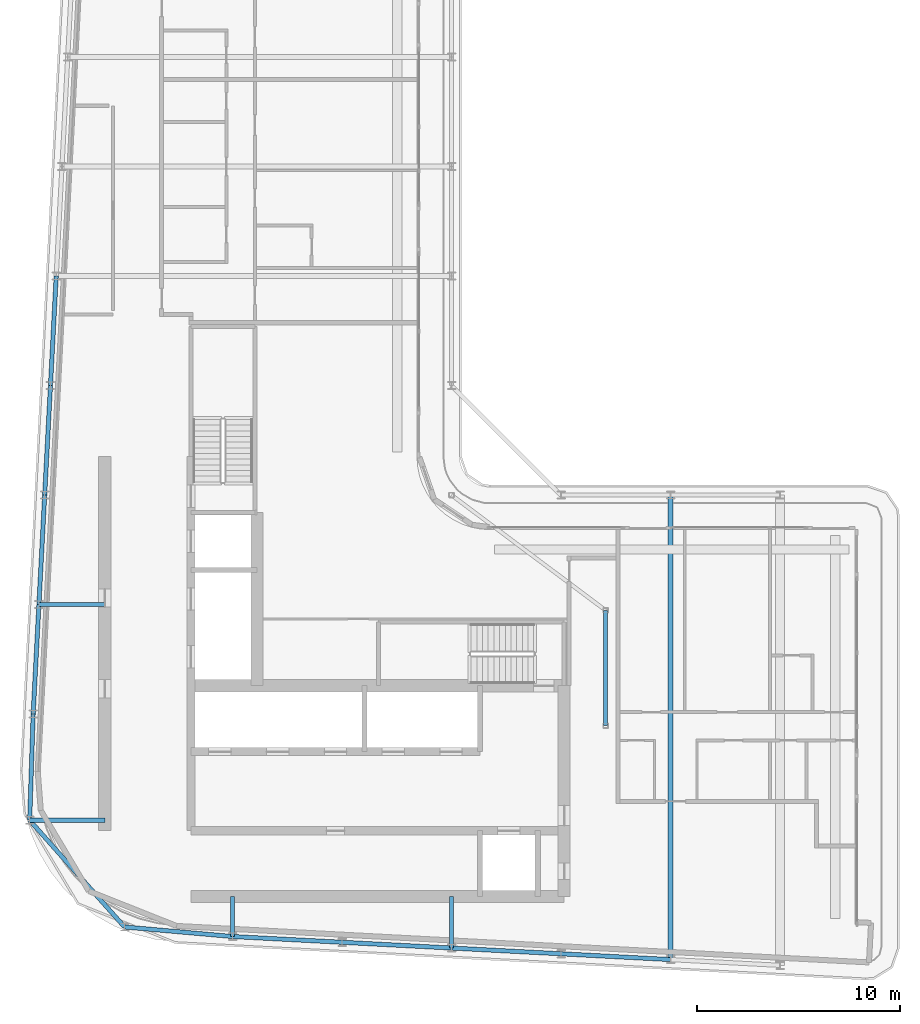
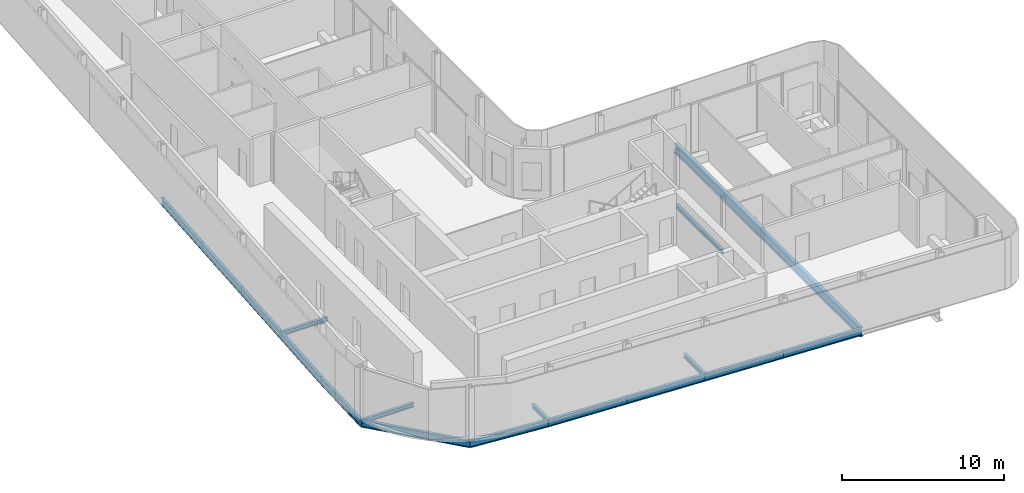
# One storey, part 5 of 21: 17 beams.
"""IFC4 building model written with IfcOpenShell, lengths in metres."""

from ifc_helpers import new_model, si_unit, direction, frame, origin, origin_2d, place, context, subcontext, project, spatial, i_section, extrude, material, material_profile, profile_set, type_object, element, save


model = new_model("IFC4")

# Units and contexts
model_context = context("Model", 3, precision=1e-05, world=origin(), true_north=direction((0.0, 1.0)))
body_context = subcontext(model_context, "Body", "Model", "MODEL_VIEW")
ifc_project = project(units=[si_unit("LENGTHUNIT", "METRE"), si_unit("AREAUNIT", "SQUARE_METRE"), si_unit("VOLUMEUNIT", "CUBIC_METRE"), si_unit("PLANEANGLEUNIT", "RADIAN"), si_unit("MASSUNIT", "GRAM", prefix="KILO")], contexts=[model_context])

# Site, building, storey
site_placement = place(None, origin())
site = spatial("IfcSite", under=ifc_project, at=site_placement, CompositionType="ELEMENT")
building_placement = place(site_placement, origin())
building = spatial("IfcBuilding", under=site, at=building_placement, Name="Kheshtan School and Residences Tower", CompositionType="ELEMENT")
storey_placement = place(building_placement, frame((0.0, 0.0, 302.0)))
storey = spatial("IfcBuildingStorey", under=building, at=storey_placement, Name="L71", CompositionType="ELEMENT", Elevation=302.0)

# Beams
ifc_material = material(Name="Steel ASTM A992 Grade 50", Category="steel")
ifc_material_profile_1 = material_profile(ifc_material, i_section(OverallWidth=0.202880859375, OverallDepth=0.302978515625, WebThickness=0.007568359375, FlangeThickness=0.01318359375, FilletRadius=0.009033203125, at=origin_2d()), Name="W310x60")
ifc_profile_set_1 = profile_set([ifc_material_profile_1], Name="Steel ASTM A992 Grade 50")
beam_type_1 = type_object("IfcBeamType", Name="Beam FB1 W310x60 ASTM A992 Grade 50", PredefinedType="BEAM", material=ifc_profile_set_1)
beam_1_placement = place(storey_placement, frame((47.60009765625, 23.263916015625, -0.301513671875), z_axis=(0.0, 1.0, 0.0), x_axis=(-1.0, 0.0, 0.0)))
element("IfcBeam", 1, at=beam_1_placement, inside=storey, type_object=beam_type_1, Name="Floor beam C020", PredefinedType="BEAM", context=body_context, shape_type="SweptSolid", body=[
    extrude(i_section(OverallWidth=0.202880859375, OverallDepth=0.302978515625, WebThickness=0.007568359375, FlangeThickness=0.01318359375, FilletRadius=0.009033203125, at=origin_2d()), origin(), (0.0, 0.0, 1.0), 2.5361328125),
])
beam_2_placement = place(storey_placement, frame((36.800048828125, 23.83203125, -0.301513671875), z_axis=(0.0, 1.0, 0.0), x_axis=(-1.0, 0.0, 0.0)))
element("IfcBeam", 2, at=beam_2_placement, inside=storey, type_object=beam_type_1, Name="Floor beam C022", PredefinedType="BEAM", context=body_context, shape_type="SweptSolid", body=[
    extrude(i_section(OverallWidth=0.202880859375, OverallDepth=0.302978515625, WebThickness=0.007568359375, FlangeThickness=0.01318359375, FilletRadius=0.009033203125, at=origin_2d()), origin(), (0.0, 0.0, 1.0), 1.968017578125),
])
beam_3_placement = place(storey_placement, frame((26.797119140625, 29.56591796875, -0.301513671875), z_axis=(1.0, 0.0, 0.0), x_axis=(0.0, 1.0, 0.0)))
element("IfcBeam", 3, at=beam_3_placement, inside=storey, type_object=beam_type_1, Name="Floor beam C044", PredefinedType="BEAM", context=body_context, shape_type="SweptSolid", body=[
    extrude(i_section(OverallWidth=0.202880859375, OverallDepth=0.302978515625, WebThickness=0.007568359375, FlangeThickness=0.01318359375, FilletRadius=0.009033203125, at=origin_2d()), origin(), (0.0, 0.0, 1.0), 3.702880859375),
])
beam_4_placement = place(storey_placement, frame((27.2529296875, 40.199951171875, -0.301513671875), z_axis=(1.0, 0.0, 0.0), x_axis=(0.0, 1.0, 0.0)))
element("IfcBeam", 4, at=beam_4_placement, inside=storey, type_object=beam_type_1, Name="Floor beam C056", PredefinedType="BEAM", context=body_context, shape_type="SweptSolid", body=[
    extrude(i_section(OverallWidth=0.202880859375, OverallDepth=0.302978515625, WebThickness=0.007568359375, FlangeThickness=0.01318359375, FilletRadius=0.009033203125, at=origin_2d()), origin(), (0.0, 0.0, 1.0), 3.2470703125),
])
beam_5_placement = place(storey_placement, frame((55.199951171875, 34.23193359375, -0.301513671875), z_axis=(0.0, 1.0, 0.0), x_axis=(-1.0, 0.0, 0.0)))
element("IfcBeam", 5, at=beam_5_placement, inside=storey, type_object=beam_type_1, Name="Floor beam IC", PredefinedType="BEAM", context=body_context, shape_type="SweptSolid", body=[
    extrude(i_section(OverallWidth=0.202880859375, OverallDepth=0.302978515625, WebThickness=0.007568359375, FlangeThickness=0.01318359375, FilletRadius=0.009033203125, at=origin_2d()), origin(), (0.0, 0.0, 1.0), 5.68408203125),
])
ifc_material_profile_2 = material_profile(ifc_material, i_section(OverallWidth=0.2529296875, OverallDepth=0.677978515625, WebThickness=0.01171875, FlangeThickness=0.016357421875, FilletRadius=0.0146484375, at=origin_2d()), Name="W690x125")
ifc_profile_set_2 = profile_set([ifc_material_profile_2], Name="Steel ASTM A992 Grade 50")
beam_type_2 = type_object("IfcBeamType", Name="Beam FB6 W690x125 ASTM A992 Grade 50", PredefinedType="BEAM", material=ifc_profile_set_2)
beam_6_placement = place(storey_placement, frame((58.39990234375, 22.695068359375, -0.489013671875), z_axis=(0.0, 1.0, 0.0), x_axis=(-1.0, 0.0, 0.0)))
element("IfcBeam", 6, at=beam_6_placement, inside=storey, type_object=beam_type_2, Name="Floor beam C018", PredefinedType="BEAM", context=body_context, shape_type="SweptSolid", body=[
    extrude(i_section(OverallWidth=0.2529296875, OverallDepth=0.677978515625, WebThickness=0.01171875, FlangeThickness=0.016357421875, FilletRadius=0.0146484375, at=origin_2d()), origin(), (0.0, 0.0, 1.0), 22.905029296875),
])
ifc_material_profile_3 = material_profile(ifc_material, i_section(OverallWidth=0.208984375, OverallDepth=0.532958984375, WebThickness=0.01025390625, FlangeThickness=0.015625, FilletRadius=0.013916015625, at=origin_2d()), Name="W530x92")
ifc_profile_set_3 = profile_set([ifc_material_profile_3], Name="Steel ASTM A992 Grade 50")
beam_type_3 = type_object("IfcBeamType", Name="Beam SP3 W530x92 ASTM A992 Grade 50", PredefinedType="BEAM", material=ifc_profile_set_3)
for number, where, z_axis, x_axis, name in (
    (7, (58.39990234375, 22.695068359375, -0.41650390625), (-0.998610961136, 0.052689166816, 0.0), (-0.052689166816, -0.998610961136, 0.0), "Spandrel beam C018-C019"),
    (8, (53.0, 22.97998046875, -0.41650390625), (-0.998620447272, 0.05250906864, 0.0), (-0.05250906864, -0.998620447272, 0.0), "Spandrel beam C019-C020"),
):
    element("IfcBeam", number, at=place(storey_placement, frame(where, z_axis=z_axis, x_axis=x_axis)), inside=storey, type_object=beam_type_3, Name=name, PredefinedType="BEAM", context=body_context, shape_type="SweptSolid", body=[
        extrude(i_section(OverallWidth=0.208984375, OverallDepth=0.532958984375, WebThickness=0.01025390625, FlangeThickness=0.015625, FilletRadius=0.013916015625, at=origin_2d()), origin(), (0.0, 0.0, 1.0), 5.407470703125),
    ])
beam_7_placement = place(storey_placement, frame((47.60009765625, 23.263916015625, -0.41650390625), z_axis=(-0.998618203458, 0.052551724256, 0.0), x_axis=(-0.052551724256, -0.998618203458, 0.0)))
element("IfcBeam", 9, at=beam_7_placement, inside=storey, type_object=beam_type_3, Name="Spandrel beam C020-C021", PredefinedType="BEAM", context=body_context, shape_type="SweptSolid", body=[
    extrude(i_section(OverallWidth=0.208984375, OverallDepth=0.532958984375, WebThickness=0.01025390625, FlangeThickness=0.015625, FilletRadius=0.013916015625, at=origin_2d()), origin(), (0.0, 0.0, 1.0), 5.40771484375),
])
beam_8_placement = place(storey_placement, frame((42.199951171875, 23.548095703125, -0.41650390625), z_axis=(-0.998620447272, 0.05250906864, 0.0), x_axis=(-0.05250906864, -0.998620447272, 0.0)))
element("IfcBeam", 10, at=beam_8_placement, inside=storey, type_object=beam_type_3, Name="Spandrel beam C021-C022", PredefinedType="BEAM", context=body_context, shape_type="SweptSolid", body=[
    extrude(i_section(OverallWidth=0.208984375, OverallDepth=0.532958984375, WebThickness=0.01025390625, FlangeThickness=0.015625, FilletRadius=0.013916015625, at=origin_2d()), origin(), (0.0, 0.0, 1.0), 5.407470703125),
])
beam_9_placement = place(storey_placement, frame((36.800048828125, 23.83203125, -0.41650390625), z_axis=(-0.996129262073, 0.087900473504, 0.0), x_axis=(-0.087900473504, -0.996129262073, 0.0)))
element("IfcBeam", 11, at=beam_9_placement, inside=storey, type_object=beam_type_3, Name="Spandrel beam C022-C031", PredefinedType="BEAM", context=body_context, shape_type="SweptSolid", body=[
    extrude(i_section(OverallWidth=0.208984375, OverallDepth=0.532958984375, WebThickness=0.01025390625, FlangeThickness=0.015625, FilletRadius=0.013916015625, at=origin_2d()), origin(), (0.0, 0.0, 1.0), 5.3466796875),
])
beam_10_placement = place(storey_placement, frame((31.47412109375, 24.302001953125, -0.41650390625), z_axis=(-0.664202421408, 0.747552769639, 0.0), x_axis=(-0.747552769639, -0.664202421408, 0.0)))
element("IfcBeam", 12, at=beam_10_placement, inside=storey, type_object=beam_type_3, Name="Spandrel beam C031-C044", PredefinedType="BEAM", context=body_context, shape_type="SweptSolid", body=[
    extrude(i_section(OverallWidth=0.208984375, OverallDepth=0.532958984375, WebThickness=0.01025390625, FlangeThickness=0.015625, FilletRadius=0.013916015625, at=origin_2d()), origin(), (0.0, 0.0, 1.0), 7.04150390625),
])
beam_11_placement = place(storey_placement, frame((26.797119140625, 29.56591796875, -0.41650390625), z_axis=(0.032819662671, 0.999461289767, 0.0), x_axis=(-0.999461289767, 0.032819662671, 0.0)))
element("IfcBeam", 13, at=beam_11_placement, inside=storey, type_object=beam_type_3, Name="Spandrel beam C044-C052", PredefinedType="BEAM", context=body_context, shape_type="SweptSolid", body=[
    extrude(i_section(OverallWidth=0.208984375, OverallDepth=0.532958984375, WebThickness=0.01025390625, FlangeThickness=0.015625, FilletRadius=0.013916015625, at=origin_2d()), origin(), (0.0, 0.0, 1.0), 5.237060546875),
])
beam_12_placement = place(storey_placement, frame((26.968994140625, 34.800048828125, -0.41650390625), z_axis=(0.05250906864, 0.998620447272, 0.0), x_axis=(-0.998620447272, 0.05250906864, 0.0)))
element("IfcBeam", 14, at=beam_12_placement, inside=storey, type_object=beam_type_3, Name="Spandrel beam C052-C056", PredefinedType="BEAM", context=body_context, shape_type="SweptSolid", body=[
    extrude(i_section(OverallWidth=0.208984375, OverallDepth=0.532958984375, WebThickness=0.01025390625, FlangeThickness=0.015625, FilletRadius=0.013916015625, at=origin_2d()), origin(), (0.0, 0.0, 1.0), 5.407470703125),
])
beam_13_placement = place(storey_placement, frame((27.2529296875, 40.199951171875, -0.41650390625), z_axis=(0.052551724256, 0.998618203458, 0.0), x_axis=(-0.998618203458, 0.052551724256, 0.0)))
element("IfcBeam", 15, at=beam_13_placement, inside=storey, type_object=beam_type_3, Name="Spandrel beam C056-C059", PredefinedType="BEAM", context=body_context, shape_type="SweptSolid", body=[
    extrude(i_section(OverallWidth=0.208984375, OverallDepth=0.532958984375, WebThickness=0.01025390625, FlangeThickness=0.015625, FilletRadius=0.013916015625, at=origin_2d()), origin(), (0.0, 0.0, 1.0), 5.40771484375),
])
for number, where, z_axis, x_axis, name in (
    (16, (27.537109375, 45.60009765625, -0.41650390625), (0.052689166816, 0.998610961136, 0.0), (-0.998610961136, 0.052689166816, 0.0), "Spandrel beam C059-C078"),
    (17, (27.822021484375, 51.0, -0.41650390625), (0.05250906864, 0.998620447272, 0.0), (-0.998620447272, 0.05250906864, 0.0), "Spandrel beam C078-C080"),
):
    element("IfcBeam", number, at=place(storey_placement, frame(where, z_axis=z_axis, x_axis=x_axis)), inside=storey, type_object=beam_type_3, Name=name, PredefinedType="BEAM", context=body_context, shape_type="SweptSolid", body=[
        extrude(i_section(OverallWidth=0.208984375, OverallDepth=0.532958984375, WebThickness=0.01025390625, FlangeThickness=0.015625, FilletRadius=0.013916015625, at=origin_2d()), origin(), (0.0, 0.0, 1.0), 5.407470703125),
    ])

save(model, "model.ifc")
